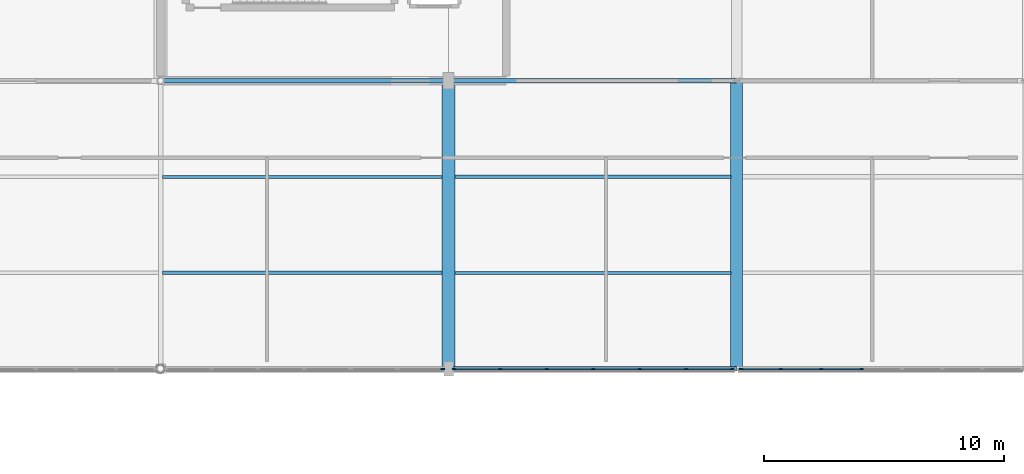
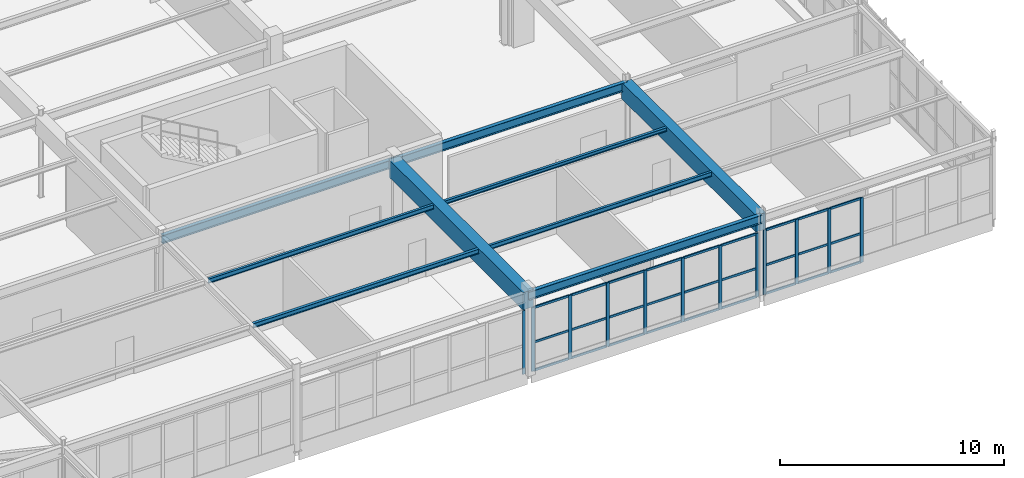
# One storey, part 102 of 186: 39 members, 9 beams, 3 elements without a shape of their own.
"""IFC4 building model written with IfcOpenShell, lengths in metres."""

from ifc_helpers import new_model, si_unit, direction, frame, origin, origin_2d, place, context, subcontext, project, spatial, rectangle, i_section, extrude, material, layer, layer_set, material_profile, profile_set, type_object, element, aggregate, save


model = new_model("IFC4")

# Units and contexts
model_context = context("Model", 3, precision=1e-05, world=origin(), true_north=direction((0.0, 1.0)))
body_context = subcontext(model_context, "Body", "Model", "MODEL_VIEW")
ifc_project = project(units=[si_unit("LENGTHUNIT", "METRE"), si_unit("AREAUNIT", "SQUARE_METRE"), si_unit("VOLUMEUNIT", "CUBIC_METRE"), si_unit("PLANEANGLEUNIT", "RADIAN"), si_unit("MASSUNIT", "GRAM", prefix="KILO")], contexts=[model_context])

# Site, building, storey
site_placement = place(None, origin())
site = spatial("IfcSite", under=ifc_project, at=site_placement, CompositionType="ELEMENT")
building_placement = place(site_placement, origin())
building = spatial("IfcBuilding", under=site, at=building_placement, Name="Tarnwether General Hospital", CompositionType="ELEMENT")
storey_placement = place(building_placement, frame((0.0, 0.0, 9.60009765625)))
storey = spatial("IfcBuildingStorey", under=building, at=storey_placement, Name="L02", CompositionType="ELEMENT", Elevation=9.60009765625)

# Beams
ifc_material_1 = material(Name="Steel Grade 350 (350 MPa)", Category="steel")
ifc_material_profile_1 = material_profile(ifc_material_1, i_section(OverallWidth=0.19091796875, OverallDepth=0.4599609375, WebThickness=0.010009765625, FlangeThickness=0.01611328125, at=origin_2d()), Name="460UB82.1")
ifc_profile_set_1 = profile_set([ifc_material_profile_1], Name="Steel Grade 350 (350 MPa)")
beam_type_1 = type_object("IfcBeamType", Name="BM-G08", PredefinedType="BEAM", material=ifc_profile_set_1)
for number, where, z_axis, x_axis, name in (
    (1, (156.0, 93.60009765625, 4.21484375), (1.0, 0.0, 0.0), (0.0, 1.0, 0.0), "Primary Girder BMG-L02-15600_9360-16800_9360-1599"),
    (2, (168.0, 81.60009765625, 4.2099609375), (1.0, 0.0, 0.0), (0.0, 1.0, 0.0), "Primary Girder BMG-L02-16800_8160-18000_8160-1614"),
):
    element("IfcBeam", number, at=place(storey_placement, frame(where, z_axis=z_axis, x_axis=x_axis)), inside=storey, type_object=beam_type_1, Name=name, PredefinedType="BEAM", context=body_context, shape_type="SweptSolid", body=[
        extrude(i_section(OverallWidth=0.19091796875, OverallDepth=0.4599609375, WebThickness=0.010009765625, FlangeThickness=0.01611328125, at=origin_2d()), origin(), (0.0, 0.0, 1.0), 12.0),
    ])
ifc_material_2 = material(Name="Steel Grade 350 (350 MPa)", Category="steel")
ifc_material_profile_2 = material_profile(ifc_material_2, i_section(OverallWidth=0.18994140625, OverallDepth=0.45703125, WebThickness=0.009033203125, FlangeThickness=0.014404296875, at=origin_2d()), Name="460UB74.6")
ifc_profile_set_2 = profile_set([ifc_material_profile_2], Name="Steel Grade 350 (350 MPa)")
beam_type_2 = type_object("IfcBeamType", Name="BM-G09", PredefinedType="BEAM", material=ifc_profile_set_2)
beam_1_placement = place(storey_placement, frame((168.0, 93.60009765625, 4.21142578125), z_axis=(1.0, 0.0, 0.0), x_axis=(0.0, 1.0, 0.0)))
element("IfcBeam", 3, at=beam_1_placement, inside=storey, type_object=beam_type_2, Name="Primary Girder BMG-L02-16800_9360-18000_9360-1616", PredefinedType="BEAM", context=body_context, shape_type="SweptSolid", body=[
    extrude(i_section(OverallWidth=0.18994140625, OverallDepth=0.45703125, WebThickness=0.009033203125, FlangeThickness=0.014404296875, at=origin_2d()), origin(), (0.0, 0.0, 1.0), 12.0),
])
ifc_material_3 = material(Name="Concrete 40 MPa", Category="concrete")
ifc_material_profile_3 = material_profile(ifc_material_3, rectangle(XDim=0.550048828125, YDim=0.949951171875, at=origin_2d()), Name="RC-BM-550x950")
ifc_profile_set_3 = profile_set([ifc_material_profile_3], Name="Concrete 40 MPa")
beam_type_3 = type_object("IfcBeamType", Name="BM-G11", PredefinedType="BEAM", material=ifc_profile_set_3)
beam_2_placement = place(storey_placement, frame((168.0, 81.60009765625, 3.969970703125), z_axis=(0.0, 1.0, 0.0), x_axis=(-1.0, 0.0, 0.0)))
element("IfcBeam", 4, at=beam_2_placement, inside=storey, type_object=beam_type_3, Name="Primary Girder BMG-L02-16800_8160-16800_9360-1615", PredefinedType="BEAM", context=body_context, shape_type="SweptSolid", body=[
    extrude(rectangle(XDim=0.550048828125, YDim=0.949951171875, at=origin_2d()), origin(), (0.0, 0.0, 1.0), 12.0),
])
ifc_material_4 = material(Name="Concrete 40 MPa", Category="concrete")
ifc_material_profile_4 = material_profile(ifc_material_4, rectangle(XDim=0.5, YDim=0.89990234375, at=origin_2d()), Name="RC-BM-500x900")
ifc_profile_set_4 = profile_set([ifc_material_profile_4], Name="Concrete 40 MPa")
beam_type_4 = type_object("IfcBeamType", Name="BM-G12", PredefinedType="BEAM", material=ifc_profile_set_4)
beam_3_placement = place(storey_placement, frame((180.0, 81.60009765625, 3.989990234375), z_axis=(0.0, 1.0, 0.0), x_axis=(-1.0, 0.0, 0.0)))
element("IfcBeam", 5, at=beam_3_placement, inside=storey, type_object=beam_type_4, Name="Primary Girder BMG-L02-18000_8160-18000_9360-1632", PredefinedType="BEAM", context=body_context, shape_type="SweptSolid", body=[
    extrude(rectangle(XDim=0.5, YDim=0.89990234375, at=origin_2d()), origin(), (0.0, 0.0, 1.0), 12.0),
])
ifc_material_5 = material(Name="Steel Grade 350 (350 MPa)", Category="steel")
ifc_material_profile_5 = material_profile(ifc_material_5, i_section(OverallWidth=0.14599609375, OverallDepth=0.251953125, WebThickness=0.006103515625, FlangeThickness=0.008544921875, at=origin_2d()), Name="250UB31.4")
ifc_profile_set_5 = profile_set([ifc_material_profile_5], Name="Steel Grade 350 (350 MPa)")
beam_type_5 = type_object("IfcBeamType", Name="BM-J10", PredefinedType="JOIST", material=ifc_profile_set_5)
beam_4_placement = place(storey_placement, frame((156.089111328125, 85.60009765625, 4.31884765625), z_axis=(1.0, 0.0, 0.0), x_axis=(0.0, 1.0, 0.0)))
element("IfcBeam", 6, at=beam_4_placement, inside=storey, type_object=beam_type_5, Name="Composite Floor Joist BMG-L02-15609_8560-16773_8560-1726", PredefinedType="JOIST", context=body_context, shape_type="SweptSolid", body=[
    extrude(i_section(OverallWidth=0.14599609375, OverallDepth=0.251953125, WebThickness=0.006103515625, FlangeThickness=0.008544921875, at=origin_2d()), origin(), (0.0, 0.0, 1.0), 11.641845703125),
])
ifc_material_6 = material(Name="Steel Grade 350 (350 MPa)", Category="steel")
ifc_material_profile_6 = material_profile(ifc_material_6, i_section(OverallWidth=0.1240234375, OverallDepth=0.248046875, WebThickness=0.0048828125, FlangeThickness=0.008056640625, at=origin_2d()), Name="250UB25.7")
ifc_profile_set_6 = profile_set([ifc_material_profile_6], Name="Steel Grade 350 (350 MPa)")
beam_type_6 = type_object("IfcBeamType", Name="BM-J11", PredefinedType="JOIST", material=ifc_profile_set_6)
beam_5_placement = place(storey_placement, frame((156.089111328125, 89.60009765625, 4.32080078125), z_axis=(1.0, 0.0, 0.0), x_axis=(0.0, 1.0, 0.0)))
element("IfcBeam", 7, at=beam_5_placement, inside=storey, type_object=beam_type_6, Name="Composite Floor Joist BMG-L02-15609_8960-16773_8960-1727", PredefinedType="JOIST", context=body_context, shape_type="SweptSolid", body=[
    extrude(i_section(OverallWidth=0.1240234375, OverallDepth=0.248046875, WebThickness=0.0048828125, FlangeThickness=0.008056640625, at=origin_2d()), origin(), (0.0, 0.0, 1.0), 11.641845703125),
])
beam_6_placement = place(storey_placement, frame((168.26904296875, 85.60009765625, 4.31591796875), z_axis=(1.0, 0.0, 0.0), x_axis=(0.0, 1.0, 0.0)))
element("IfcBeam", 8, at=beam_6_placement, inside=storey, type_object=beam_type_6, Name="Composite Floor Joist BMG-L02-16827_8560-17976_8560-1736", PredefinedType="JOIST", context=body_context, shape_type="SweptSolid", body=[
    extrude(i_section(OverallWidth=0.1240234375, OverallDepth=0.248046875, WebThickness=0.0048828125, FlangeThickness=0.008056640625, at=origin_2d()), origin(), (0.0, 0.0, 1.0), 11.487060546875),
])
ifc_material_7 = material(Name="Steel Grade 350 (350 MPa)", Category="steel")
ifc_material_profile_7 = material_profile(ifc_material_7, i_section(OverallWidth=0.134033203125, OverallDepth=0.20703125, WebThickness=0.00634765625, FlangeThickness=0.009521484375, at=origin_2d()), Name="200UB29.8")
ifc_profile_set_7 = profile_set([ifc_material_profile_7], Name="Steel Grade 350 (350 MPa)")
beam_type_7 = type_object("IfcBeamType", Name="BM-J12", PredefinedType="JOIST", material=ifc_profile_set_7)
beam_7_placement = place(storey_placement, frame((168.26904296875, 89.60009765625, 4.33642578125), z_axis=(1.0, 0.0, 0.0), x_axis=(0.0, 1.0, 0.0)))
element("IfcBeam", 9, at=beam_7_placement, inside=storey, type_object=beam_type_7, Name="Composite Floor Joist BMG-L02-16827_8960-17976_8960-1737", PredefinedType="JOIST", context=body_context, shape_type="SweptSolid", body=[
    extrude(i_section(OverallWidth=0.134033203125, OverallDepth=0.20703125, WebThickness=0.00634765625, FlangeThickness=0.009521484375, at=origin_2d()), origin(), (0.0, 0.0, 1.0), 11.487060546875),
])

# Curtain wall, members
ifc_material_8 = material(Name="Anodised aluminium", Category="aluminium")
ifc_layer = layer(ifc_material_8, 0.159912109375)
ifc_layer_set = layer_set([ifc_layer], Name="Anodised aluminium")
curtain_wall_type = type_object("IfcCurtainWallType", Name="CW-17", PredefinedType="NOTDEFINED", material=ifc_layer_set)
curtain_wall_1_placement = place(storey_placement, origin())
curtain_wall_1 = element("IfcCurtainWall", 10, at=curtain_wall_1_placement, inside=storey, type_object=curtain_wall_type, Name="Curtain Wall CWG-L02-1919_816-0466", PredefinedType="NOTDEFINED")
ifc_material_9 = material(Name="Anodised aluminium", Category="aluminium")
ifc_material_profile_8 = material_profile(ifc_material_9, rectangle(XDim=0.06005859375, YDim=0.159912109375, at=origin_2d()), Name="ALU-MUL-60x160")
ifc_profile_set_8 = profile_set([ifc_material_profile_8], Name="Anodised aluminium")
member_type_1 = type_object("IfcMemberType", Name="CW-ML1", PredefinedType="MULLION", material=ifc_profile_set_8)
member_1_placement = place(storey_placement, frame((185.199951171875, 81.60009765625, 0.0), z_axis=(0.0, 0.0, 1.0), x_axis=(0.0, -1.0, 0.0)))
member_1 = element("IfcMember", 11, at=member_1_placement, type_object=member_type_1, Name="CW-17 mullion 5", PredefinedType="MULLION", context=body_context, shape_type="SweptSolid", body=[
    extrude(rectangle(XDim=0.06005859375, YDim=0.159912109375, at=origin_2d()), origin(), (0.0, 0.0, 1.0), 3.52490234375),
])
member_2_placement = place(storey_placement, frame((183.5205078125, 81.60009765625, 0.0), z_axis=(0.0, 0.0, 1.0), x_axis=(0.0, -1.0, 0.0)))
member_2 = element("IfcMember", 12, at=member_2_placement, type_object=member_type_1, Name="CW-17 mullion 6", PredefinedType="MULLION", context=body_context, shape_type="SweptSolid", body=[
    extrude(rectangle(XDim=0.06005859375, YDim=0.159912109375, at=origin_2d()), origin(), (0.0, 0.0, 1.0), 3.52490234375),
])
member_3_placement = place(storey_placement, frame((181.84130859375, 81.60009765625, 0.0), z_axis=(0.0, 0.0, 1.0), x_axis=(0.0, -1.0, 0.0)))
member_3 = element("IfcMember", 13, at=member_3_placement, type_object=member_type_1, Name="CW-17 mullion 7", PredefinedType="MULLION", context=body_context, shape_type="SweptSolid", body=[
    extrude(rectangle(XDim=0.06005859375, YDim=0.159912109375, at=origin_2d()), origin(), (0.0, 0.0, 1.0), 3.52490234375),
])
member_4_placement = place(storey_placement, frame((180.19189453125, 81.60009765625, 0.0), z_axis=(0.0, 0.0, 1.0), x_axis=(0.0, -1.0, 0.0)))
member_4 = element("IfcMember", 14, at=member_4_placement, type_object=member_type_1, Name="CW-17 mullion 8", PredefinedType="MULLION", context=body_context, shape_type="SweptSolid", body=[
    extrude(rectangle(XDim=0.06005859375, YDim=0.159912109375, at=origin_2d()), origin(), (0.0, 0.0, 1.0), 3.52490234375),
])

curtain_wall_2_placement = place(storey_placement, origin())
curtain_wall_2 = element("IfcCurtainWall", 15, at=curtain_wall_2_placement, inside=storey, type_object=curtain_wall_type, Name="Curtain Wall CWG-L02-1798_816-0467", PredefinedType="NOTDEFINED")
member_5_placement = place(storey_placement, frame((179.80810546875, 81.60009765625, 0.0), z_axis=(0.0, 0.0, 1.0), x_axis=(0.0, -1.0, 0.0)))
member_5 = element("IfcMember", 16, at=member_5_placement, type_object=member_type_1, Name="CW-17 mullion 1", PredefinedType="MULLION", context=body_context, shape_type="SweptSolid", body=[
    extrude(rectangle(XDim=0.06005859375, YDim=0.159912109375, at=origin_2d()), origin(), (0.0, 0.0, 1.0), 3.47998046875),
])
member_6_placement = place(storey_placement, frame((177.899658203125, 81.60009765625, 0.0), z_axis=(0.0, 0.0, 1.0), x_axis=(0.0, -1.0, 0.0)))
member_6 = element("IfcMember", 17, at=member_6_placement, type_object=member_type_1, Name="CW-17 mullion 2", PredefinedType="MULLION", context=body_context, shape_type="SweptSolid", body=[
    extrude(rectangle(XDim=0.06005859375, YDim=0.159912109375, at=origin_2d()), origin(), (0.0, 0.0, 1.0), 3.47998046875),
])
member_7_placement = place(storey_placement, frame((175.96142578125, 81.60009765625, 0.0), z_axis=(0.0, 0.0, 1.0), x_axis=(0.0, -1.0, 0.0)))
member_7 = element("IfcMember", 18, at=member_7_placement, type_object=member_type_1, Name="CW-17 mullion 3", PredefinedType="MULLION", context=body_context, shape_type="SweptSolid", body=[
    extrude(rectangle(XDim=0.06005859375, YDim=0.159912109375, at=origin_2d()), origin(), (0.0, 0.0, 1.0), 3.47998046875),
])
member_8_placement = place(storey_placement, frame((174.02294921875, 81.60009765625, 0.0), z_axis=(0.0, 0.0, 1.0), x_axis=(0.0, -1.0, 0.0)))
member_8 = element("IfcMember", 19, at=member_8_placement, type_object=member_type_1, Name="CW-17 mullion 4", PredefinedType="MULLION", context=body_context, shape_type="SweptSolid", body=[
    extrude(rectangle(XDim=0.06005859375, YDim=0.159912109375, at=origin_2d()), origin(), (0.0, 0.0, 1.0), 3.47998046875),
])
member_9_placement = place(storey_placement, frame((172.084716796875, 81.60009765625, 0.0), z_axis=(0.0, 0.0, 1.0), x_axis=(0.0, -1.0, 0.0)))
member_9 = element("IfcMember", 20, at=member_9_placement, type_object=member_type_1, Name="CW-17 mullion 5", PredefinedType="MULLION", context=body_context, shape_type="SweptSolid", body=[
    extrude(rectangle(XDim=0.06005859375, YDim=0.159912109375, at=origin_2d()), origin(), (0.0, 0.0, 1.0), 3.47998046875),
])
member_10_placement = place(storey_placement, frame((170.146240234375, 81.60009765625, 0.0), z_axis=(0.0, 0.0, 1.0), x_axis=(0.0, -1.0, 0.0)))
member_10 = element("IfcMember", 21, at=member_10_placement, type_object=member_type_1, Name="CW-17 mullion 6", PredefinedType="MULLION", context=body_context, shape_type="SweptSolid", body=[
    extrude(rectangle(XDim=0.06005859375, YDim=0.159912109375, at=origin_2d()), origin(), (0.0, 0.0, 1.0), 3.47998046875),
])
member_11_placement = place(storey_placement, frame((168.238037109375, 81.60009765625, 0.0), z_axis=(0.0, 0.0, 1.0), x_axis=(0.0, -1.0, 0.0)))
member_11 = element("IfcMember", 22, at=member_11_placement, type_object=member_type_1, Name="CW-17 mullion 7", PredefinedType="MULLION", context=body_context, shape_type="SweptSolid", body=[
    extrude(rectangle(XDim=0.06005859375, YDim=0.159912109375, at=origin_2d()), origin(), (0.0, 0.0, 1.0), 3.47998046875),
])

# Curtain wall, member
curtain_wall_3_placement = place(storey_placement, origin())
curtain_wall_3 = element("IfcCurtainWall", 23, at=curtain_wall_3_placement, inside=storey, type_object=curtain_wall_type, Name="Curtain Wall CWG-L02-1678_816-0468", PredefinedType="NOTDEFINED")
member_12_placement = place(storey_placement, frame((167.761962890625, 81.60009765625, 0.0), z_axis=(0.0, 0.0, 1.0), x_axis=(0.0, -1.0, 0.0)))
member_12 = element("IfcMember", 24, at=member_12_placement, type_object=member_type_1, Name="CW-17 mullion 1", PredefinedType="MULLION", context=body_context, shape_type="SweptSolid", body=[
    extrude(rectangle(XDim=0.06005859375, YDim=0.159912109375, at=origin_2d()), origin(), (0.0, 0.0, 1.0), 3.47998046875),
])
aggregate(curtain_wall_3, [member_12])

# Member
ifc_material_10 = material(Name="Anodised aluminium", Category="aluminium")
ifc_material_profile_9 = material_profile(ifc_material_10, rectangle(XDim=0.06005859375, YDim=0.1201171875, at=origin_2d()), Name="ALU-TRN-60x120")
ifc_profile_set_9 = profile_set([ifc_material_profile_9], Name="Anodised aluminium")
member_type_2 = type_object("IfcMemberType", Name="CW-TR1", PredefinedType="USERDEFINED", material=ifc_profile_set_9)
member_13_placement = place(storey_placement, frame((185.169921875, 81.60009765625, 0.02978515625), z_axis=(-1.0, 0.0, 0.0), x_axis=(0.0, -1.0, 0.0)))
member_13 = element("IfcMember", 25, at=member_13_placement, type_object=member_type_2, Name="CW-17 transom 5.1", ObjectType="TRANSOM", PredefinedType="USERDEFINED", context=body_context, shape_type="SweptSolid", body=[
    extrude(rectangle(XDim=0.06005859375, YDim=0.1201171875, at=origin_2d()), origin(), (0.0, 0.0, 1.0), 1.619384765625),
])

member_14_placement = place(storey_placement, frame((185.169921875, 81.60009765625, 1.586181640625), z_axis=(-1.0, 0.0, 0.0), x_axis=(0.0, -1.0, 0.0)))
member_14 = element("IfcMember", 26, at=member_14_placement, type_object=member_type_2, Name="CW-17 transom 5.2", ObjectType="TRANSOM", PredefinedType="USERDEFINED", context=body_context, shape_type="SweptSolid", body=[
    extrude(rectangle(XDim=0.06005859375, YDim=0.1201171875, at=origin_2d()), origin(), (0.0, 0.0, 1.0), 1.619384765625),
])

member_15_placement = place(storey_placement, frame((185.169921875, 81.60009765625, 3.494873046875), z_axis=(-1.0, 0.0, 0.0), x_axis=(0.0, -1.0, 0.0)))
member_15 = element("IfcMember", 27, at=member_15_placement, type_object=member_type_2, Name="CW-17 transom 5.3", ObjectType="TRANSOM", PredefinedType="USERDEFINED", context=body_context, shape_type="SweptSolid", body=[
    extrude(rectangle(XDim=0.06005859375, YDim=0.1201171875, at=origin_2d()), origin(), (0.0, 0.0, 1.0), 1.619384765625),
])

member_16_placement = place(storey_placement, frame((183.490478515625, 81.60009765625, 0.02978515625), z_axis=(-1.0, 0.0, 0.0), x_axis=(0.0, -1.0, 0.0)))
member_16 = element("IfcMember", 28, at=member_16_placement, type_object=member_type_2, Name="CW-17 transom 6.1", ObjectType="TRANSOM", PredefinedType="USERDEFINED", context=body_context, shape_type="SweptSolid", body=[
    extrude(rectangle(XDim=0.06005859375, YDim=0.1201171875, at=origin_2d()), origin(), (0.0, 0.0, 1.0), 1.619140625),
])

member_17_placement = place(storey_placement, frame((183.490478515625, 81.60009765625, 1.586181640625), z_axis=(-1.0, 0.0, 0.0), x_axis=(0.0, -1.0, 0.0)))
member_17 = element("IfcMember", 29, at=member_17_placement, type_object=member_type_2, Name="CW-17 transom 6.2", ObjectType="TRANSOM", PredefinedType="USERDEFINED", context=body_context, shape_type="SweptSolid", body=[
    extrude(rectangle(XDim=0.06005859375, YDim=0.1201171875, at=origin_2d()), origin(), (0.0, 0.0, 1.0), 1.619140625),
])

member_18_placement = place(storey_placement, frame((183.490478515625, 81.60009765625, 3.494873046875), z_axis=(-1.0, 0.0, 0.0), x_axis=(0.0, -1.0, 0.0)))
member_18 = element("IfcMember", 30, at=member_18_placement, type_object=member_type_2, Name="CW-17 transom 6.3", ObjectType="TRANSOM", PredefinedType="USERDEFINED", context=body_context, shape_type="SweptSolid", body=[
    extrude(rectangle(XDim=0.06005859375, YDim=0.1201171875, at=origin_2d()), origin(), (0.0, 0.0, 1.0), 1.619140625),
])

member_19_placement = place(storey_placement, frame((181.811279296875, 81.60009765625, 0.02978515625), z_axis=(-1.0, 0.0, 0.0), x_axis=(0.0, -1.0, 0.0)))
member_19 = element("IfcMember", 31, at=member_19_placement, type_object=member_type_2, Name="CW-17 transom 7.1", ObjectType="TRANSOM", PredefinedType="USERDEFINED", context=body_context, shape_type="SweptSolid", body=[
    extrude(rectangle(XDim=0.06005859375, YDim=0.1201171875, at=origin_2d()), origin(), (0.0, 0.0, 1.0), 1.58935546875),
])

member_20_placement = place(storey_placement, frame((181.811279296875, 81.60009765625, 1.586181640625), z_axis=(-1.0, 0.0, 0.0), x_axis=(0.0, -1.0, 0.0)))
member_20 = element("IfcMember", 32, at=member_20_placement, type_object=member_type_2, Name="CW-17 transom 7.2", ObjectType="TRANSOM", PredefinedType="USERDEFINED", context=body_context, shape_type="SweptSolid", body=[
    extrude(rectangle(XDim=0.06005859375, YDim=0.1201171875, at=origin_2d()), origin(), (0.0, 0.0, 1.0), 1.58935546875),
])

member_21_placement = place(storey_placement, frame((181.811279296875, 81.60009765625, 3.494873046875), z_axis=(-1.0, 0.0, 0.0), x_axis=(0.0, -1.0, 0.0)))
member_21 = element("IfcMember", 33, at=member_21_placement, type_object=member_type_2, Name="CW-17 transom 7.3", ObjectType="TRANSOM", PredefinedType="USERDEFINED", context=body_context, shape_type="SweptSolid", body=[
    extrude(rectangle(XDim=0.06005859375, YDim=0.1201171875, at=origin_2d()), origin(), (0.0, 0.0, 1.0), 1.58935546875),
])

aggregate(curtain_wall_1, [member_1, member_2, member_3, member_4, member_13, member_14, member_15, member_16, member_17, member_18, member_19, member_20, member_21])

member_22_placement = place(storey_placement, frame((179.778076171875, 81.60009765625, 0.02978515625), z_axis=(-1.0, 0.0, 0.0), x_axis=(0.0, -1.0, 0.0)))
member_22 = element("IfcMember", 34, at=member_22_placement, type_object=member_type_2, Name="CW-17 transom 1.1", ObjectType="TRANSOM", PredefinedType="USERDEFINED", context=body_context, shape_type="SweptSolid", body=[
    extrude(rectangle(XDim=0.06005859375, YDim=0.1201171875, at=origin_2d()), origin(), (0.0, 0.0, 1.0), 1.848388671875),
])

member_23_placement = place(storey_placement, frame((179.778076171875, 81.60009765625, 1.56591796875), z_axis=(-1.0, 0.0, 0.0), x_axis=(0.0, -1.0, 0.0)))
member_23 = element("IfcMember", 35, at=member_23_placement, type_object=member_type_2, Name="CW-17 transom 1.2", ObjectType="TRANSOM", PredefinedType="USERDEFINED", context=body_context, shape_type="SweptSolid", body=[
    extrude(rectangle(XDim=0.06005859375, YDim=0.1201171875, at=origin_2d()), origin(), (0.0, 0.0, 1.0), 1.848388671875),
])

member_24_placement = place(storey_placement, frame((179.778076171875, 81.60009765625, 3.449951171875), z_axis=(-1.0, 0.0, 0.0), x_axis=(0.0, -1.0, 0.0)))
member_24 = element("IfcMember", 36, at=member_24_placement, type_object=member_type_2, Name="CW-17 transom 1.3", ObjectType="TRANSOM", PredefinedType="USERDEFINED", context=body_context, shape_type="SweptSolid", body=[
    extrude(rectangle(XDim=0.06005859375, YDim=0.1201171875, at=origin_2d()), origin(), (0.0, 0.0, 1.0), 1.848388671875),
])

member_25_placement = place(storey_placement, frame((177.86962890625, 81.60009765625, 0.02978515625), z_axis=(-1.0, 0.0, 0.0), x_axis=(0.0, -1.0, 0.0)))
member_25 = element("IfcMember", 37, at=member_25_placement, type_object=member_type_2, Name="CW-17 transom 2.1", ObjectType="TRANSOM", PredefinedType="USERDEFINED", context=body_context, shape_type="SweptSolid", body=[
    extrude(rectangle(XDim=0.06005859375, YDim=0.1201171875, at=origin_2d()), origin(), (0.0, 0.0, 1.0), 1.878173828125),
])

member_26_placement = place(storey_placement, frame((177.86962890625, 81.60009765625, 1.56591796875), z_axis=(-1.0, 0.0, 0.0), x_axis=(0.0, -1.0, 0.0)))
member_26 = element("IfcMember", 38, at=member_26_placement, type_object=member_type_2, Name="CW-17 transom 2.2", ObjectType="TRANSOM", PredefinedType="USERDEFINED", context=body_context, shape_type="SweptSolid", body=[
    extrude(rectangle(XDim=0.06005859375, YDim=0.1201171875, at=origin_2d()), origin(), (0.0, 0.0, 1.0), 1.878173828125),
])

member_27_placement = place(storey_placement, frame((177.86962890625, 81.60009765625, 3.449951171875), z_axis=(-1.0, 0.0, 0.0), x_axis=(0.0, -1.0, 0.0)))
member_27 = element("IfcMember", 39, at=member_27_placement, type_object=member_type_2, Name="CW-17 transom 2.3", ObjectType="TRANSOM", PredefinedType="USERDEFINED", context=body_context, shape_type="SweptSolid", body=[
    extrude(rectangle(XDim=0.06005859375, YDim=0.1201171875, at=origin_2d()), origin(), (0.0, 0.0, 1.0), 1.878173828125),
])

member_28_placement = place(storey_placement, frame((175.931396484375, 81.60009765625, 0.02978515625), z_axis=(-1.0, 0.0, 0.0), x_axis=(0.0, -1.0, 0.0)))
member_28 = element("IfcMember", 40, at=member_28_placement, type_object=member_type_2, Name="CW-17 transom 3.1", ObjectType="TRANSOM", PredefinedType="USERDEFINED", context=body_context, shape_type="SweptSolid", body=[
    extrude(rectangle(XDim=0.06005859375, YDim=0.1201171875, at=origin_2d()), origin(), (0.0, 0.0, 1.0), 1.87841796875),
])

member_29_placement = place(storey_placement, frame((175.931396484375, 81.60009765625, 1.56591796875), z_axis=(-1.0, 0.0, 0.0), x_axis=(0.0, -1.0, 0.0)))
member_29 = element("IfcMember", 41, at=member_29_placement, type_object=member_type_2, Name="CW-17 transom 3.2", ObjectType="TRANSOM", PredefinedType="USERDEFINED", context=body_context, shape_type="SweptSolid", body=[
    extrude(rectangle(XDim=0.06005859375, YDim=0.1201171875, at=origin_2d()), origin(), (0.0, 0.0, 1.0), 1.87841796875),
])

member_30_placement = place(storey_placement, frame((175.931396484375, 81.60009765625, 3.449951171875), z_axis=(-1.0, 0.0, 0.0), x_axis=(0.0, -1.0, 0.0)))
member_30 = element("IfcMember", 42, at=member_30_placement, type_object=member_type_2, Name="CW-17 transom 3.3", ObjectType="TRANSOM", PredefinedType="USERDEFINED", context=body_context, shape_type="SweptSolid", body=[
    extrude(rectangle(XDim=0.06005859375, YDim=0.1201171875, at=origin_2d()), origin(), (0.0, 0.0, 1.0), 1.87841796875),
])

member_31_placement = place(storey_placement, frame((173.992919921875, 81.60009765625, 0.02978515625), z_axis=(-1.0, 0.0, 0.0), x_axis=(0.0, -1.0, 0.0)))
member_31 = element("IfcMember", 43, at=member_31_placement, type_object=member_type_2, Name="CW-17 transom 4.1", ObjectType="TRANSOM", PredefinedType="USERDEFINED", context=body_context, shape_type="SweptSolid", body=[
    extrude(rectangle(XDim=0.06005859375, YDim=0.1201171875, at=origin_2d()), origin(), (0.0, 0.0, 1.0), 1.878173828125),
])

member_32_placement = place(storey_placement, frame((173.992919921875, 81.60009765625, 1.56591796875), z_axis=(-1.0, 0.0, 0.0), x_axis=(0.0, -1.0, 0.0)))
member_32 = element("IfcMember", 44, at=member_32_placement, type_object=member_type_2, Name="CW-17 transom 4.2", ObjectType="TRANSOM", PredefinedType="USERDEFINED", context=body_context, shape_type="SweptSolid", body=[
    extrude(rectangle(XDim=0.06005859375, YDim=0.1201171875, at=origin_2d()), origin(), (0.0, 0.0, 1.0), 1.878173828125),
])

member_33_placement = place(storey_placement, frame((173.992919921875, 81.60009765625, 3.449951171875), z_axis=(-1.0, 0.0, 0.0), x_axis=(0.0, -1.0, 0.0)))
member_33 = element("IfcMember", 45, at=member_33_placement, type_object=member_type_2, Name="CW-17 transom 4.3", ObjectType="TRANSOM", PredefinedType="USERDEFINED", context=body_context, shape_type="SweptSolid", body=[
    extrude(rectangle(XDim=0.06005859375, YDim=0.1201171875, at=origin_2d()), origin(), (0.0, 0.0, 1.0), 1.878173828125),
])

member_34_placement = place(storey_placement, frame((172.0546875, 81.60009765625, 0.02978515625), z_axis=(-1.0, 0.0, 0.0), x_axis=(0.0, -1.0, 0.0)))
member_34 = element("IfcMember", 46, at=member_34_placement, type_object=member_type_2, Name="CW-17 transom 5.1", ObjectType="TRANSOM", PredefinedType="USERDEFINED", context=body_context, shape_type="SweptSolid", body=[
    extrude(rectangle(XDim=0.06005859375, YDim=0.1201171875, at=origin_2d()), origin(), (0.0, 0.0, 1.0), 1.87841796875),
])

member_35_placement = place(storey_placement, frame((172.0546875, 81.60009765625, 1.56591796875), z_axis=(-1.0, 0.0, 0.0), x_axis=(0.0, -1.0, 0.0)))
member_35 = element("IfcMember", 47, at=member_35_placement, type_object=member_type_2, Name="CW-17 transom 5.2", ObjectType="TRANSOM", PredefinedType="USERDEFINED", context=body_context, shape_type="SweptSolid", body=[
    extrude(rectangle(XDim=0.06005859375, YDim=0.1201171875, at=origin_2d()), origin(), (0.0, 0.0, 1.0), 1.87841796875),
])

member_36_placement = place(storey_placement, frame((172.0546875, 81.60009765625, 3.449951171875), z_axis=(-1.0, 0.0, 0.0), x_axis=(0.0, -1.0, 0.0)))
member_36 = element("IfcMember", 48, at=member_36_placement, type_object=member_type_2, Name="CW-17 transom 5.3", ObjectType="TRANSOM", PredefinedType="USERDEFINED", context=body_context, shape_type="SweptSolid", body=[
    extrude(rectangle(XDim=0.06005859375, YDim=0.1201171875, at=origin_2d()), origin(), (0.0, 0.0, 1.0), 1.87841796875),
])

member_37_placement = place(storey_placement, frame((170.116455078125, 81.60009765625, 0.02978515625), z_axis=(-1.0, 0.0, 0.0), x_axis=(0.0, -1.0, 0.0)))
member_37 = element("IfcMember", 49, at=member_37_placement, type_object=member_type_2, Name="CW-17 transom 6.1", ObjectType="TRANSOM", PredefinedType="USERDEFINED", context=body_context, shape_type="SweptSolid", body=[
    extrude(rectangle(XDim=0.06005859375, YDim=0.1201171875, at=origin_2d()), origin(), (0.0, 0.0, 1.0), 1.848388671875),
])

member_38_placement = place(storey_placement, frame((170.116455078125, 81.60009765625, 1.56591796875), z_axis=(-1.0, 0.0, 0.0), x_axis=(0.0, -1.0, 0.0)))
member_38 = element("IfcMember", 50, at=member_38_placement, type_object=member_type_2, Name="CW-17 transom 6.2", ObjectType="TRANSOM", PredefinedType="USERDEFINED", context=body_context, shape_type="SweptSolid", body=[
    extrude(rectangle(XDim=0.06005859375, YDim=0.1201171875, at=origin_2d()), origin(), (0.0, 0.0, 1.0), 1.848388671875),
])

member_39_placement = place(storey_placement, frame((170.116455078125, 81.60009765625, 3.449951171875), z_axis=(-1.0, 0.0, 0.0), x_axis=(0.0, -1.0, 0.0)))
member_39 = element("IfcMember", 51, at=member_39_placement, type_object=member_type_2, Name="CW-17 transom 6.3", ObjectType="TRANSOM", PredefinedType="USERDEFINED", context=body_context, shape_type="SweptSolid", body=[
    extrude(rectangle(XDim=0.06005859375, YDim=0.1201171875, at=origin_2d()), origin(), (0.0, 0.0, 1.0), 1.848388671875),
])

aggregate(curtain_wall_2, [member_5, member_6, member_7, member_8, member_9, member_10, member_11, member_22, member_23, member_24, member_25, member_26, member_27, member_28, member_29, member_30, member_31, member_32, member_33, member_34, member_35, member_36, member_37, member_38, member_39])

save(model, "model.ifc")
